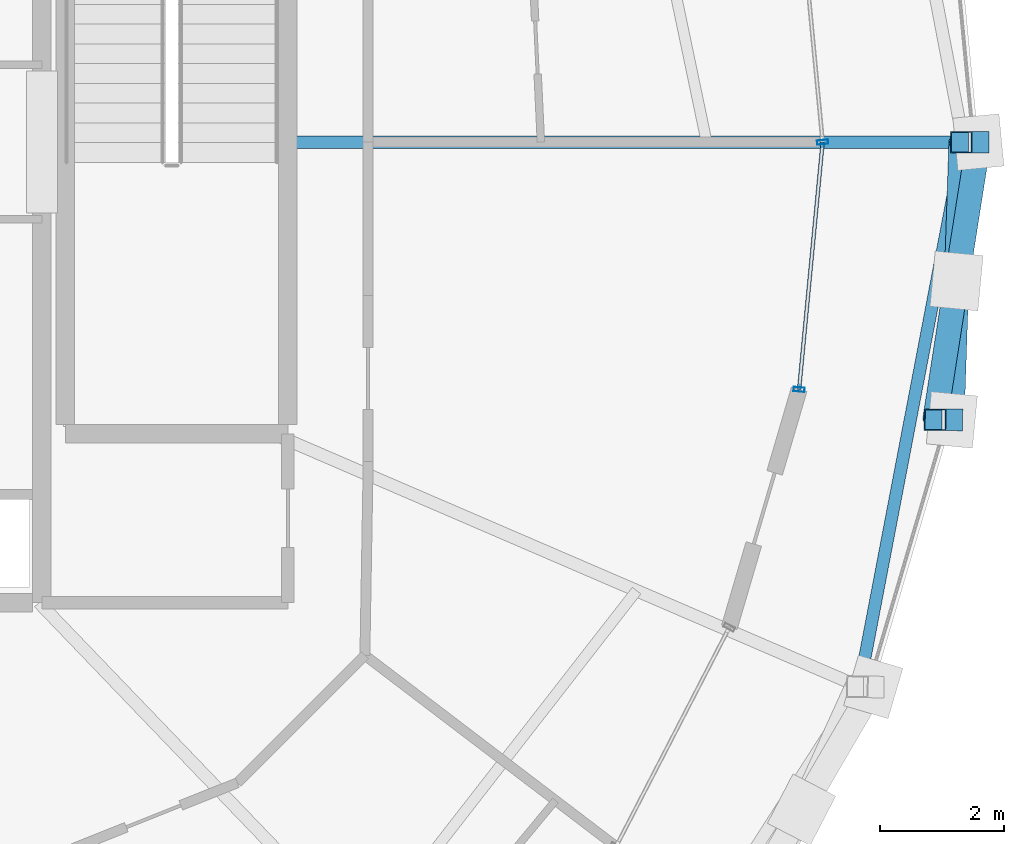
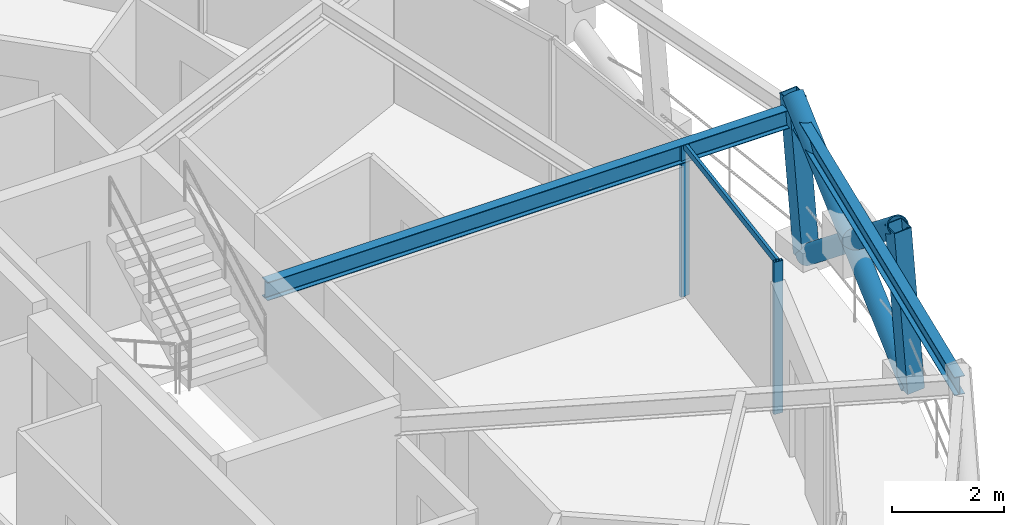
# One storey, part 5 of 15: 8 members, 2 beams, 1 element without a shape of its own.
"""IFC4 building model written with IfcOpenShell, lengths in metres."""

from ifc_helpers import new_model, si_unit, direction, frame, origin, origin_2d, place, context, subcontext, project, spatial, hollow_rectangle, hollow_circle, i_section, extrude, material, layer, layer_set, material_profile, profile_set, type_object, element, aggregate, save


model = new_model("IFC4")

# Units and contexts
model_context = context("Model", 3, precision=1e-05, world=origin(), true_north=direction((0.0, 1.0)))
body_context = subcontext(model_context, "Body", "Model", "MODEL_VIEW")
ifc_project = project(units=[si_unit("LENGTHUNIT", "METRE"), si_unit("AREAUNIT", "SQUARE_METRE"), si_unit("VOLUMEUNIT", "CUBIC_METRE"), si_unit("PLANEANGLEUNIT", "RADIAN"), si_unit("MASSUNIT", "GRAM", prefix="KILO")], contexts=[model_context])

# Site, building, storey
site_placement = place(None, origin())
site = spatial("IfcSite", under=ifc_project, at=site_placement, CompositionType="ELEMENT")
building_placement = place(site_placement, origin())
building = spatial("IfcBuilding", under=site, at=building_placement, Name="Veldorina Hangang Commons", CompositionType="ELEMENT")
storey_placement = place(building_placement, frame((0.0, 0.0, 258.0)))
storey = spatial("IfcBuildingStorey", under=building, at=storey_placement, Name="L67", CompositionType="ELEMENT", Elevation=258.0)

# Beams
ifc_material_1 = material(Name="Steel SM355-TMC", Category="steel")
ifc_material_profile_1 = material_profile(ifc_material_1, i_section(OverallWidth=0.199951171875, OverallDepth=0.39990234375, WebThickness=0.008056640625, FlangeThickness=0.012939453125, FilletRadius=0.012939453125, at=origin_2d()), Name="H-400x200x8x13")
ifc_profile_set_1 = profile_set([ifc_material_profile_1], Name="Steel SM355-TMC")
beam_type_1 = type_object("IfcBeamType", Name="BM-FG400", PredefinedType="BEAM", material=ifc_profile_set_1)
beam_1_placement = place(storey_placement, frame((43.179931640625, 24.0, 3.159912109375), z_axis=(1.0, 0.0, 0.0), x_axis=(0.0, 1.0, 0.0)))
element("IfcBeam", 1, at=beam_1_placement, inside=storey, type_object=beam_type_1, Name="L67 radial floor girder 01", PredefinedType="BEAM", context=body_context, shape_type="SweptSolid", body=[
    extrude(i_section(OverallWidth=0.199951171875, OverallDepth=0.39990234375, WebThickness=0.008056640625, FlangeThickness=0.012939453125, FilletRadius=0.012939453125, at=origin_2d()), origin(), (0.0, 0.0, 1.0), 10.928955078125),
])
ifc_material_profile_2 = material_profile(ifc_material_1, i_section(OverallWidth=0.199951171875, OverallDepth=0.39990234375, WebThickness=0.008056640625, FlangeThickness=0.012939453125, FilletRadius=0.012939453125, at=origin_2d()), Name="H-400x200x8x13")
ifc_profile_set_2 = profile_set([ifc_material_profile_2], Name="Steel SM355-TMC")
beam_type_2 = type_object("IfcBeamType", Name="BM-RB400", PredefinedType="BEAM", material=ifc_profile_set_2)
beam_2_placement = place(storey_placement, frame((52.426025390625, 15.189697265625, 3.159912109375), z_axis=(0.187618637091, 0.982241949326, 0.0), x_axis=(-0.982241949326, 0.187618637091, 0.0)))
element("IfcBeam", 2, at=beam_2_placement, inside=storey, type_object=beam_type_2, Name="L67 perimeter hoop ring beam 30", PredefinedType="BEAM", context=body_context, shape_type="SweptSolid", body=[
    extrude(i_section(OverallWidth=0.199951171875, OverallDepth=0.39990234375, WebThickness=0.008056640625, FlangeThickness=0.012939453125, FilletRadius=0.012939453125, at=origin_2d()), origin(), (0.0, 0.0, 1.0), 8.969482421875),
])

# Curtain wall, members
ifc_material_2 = material(Name="Glass Low-E Selective", Category="glass")
ifc_layer = layer(ifc_material_2, 0.179931640625)
ifc_layer_set = layer_set([ifc_layer], Name="Glass Low-E Selective")
curtain_wall_type = type_object("IfcCurtainWallType", Name="CW-SYS-Z3", PredefinedType="NOTDEFINED", material=ifc_layer_set)
curtain_wall_placement = place(storey_placement, origin())
curtain_wall = element("IfcCurtainWall", 3, at=curtain_wall_placement, inside=storey, type_object=curtain_wall_type, Name="L67 unitised curtain wall CW-L67-R2", PredefinedType="NOTDEFINED")
ifc_material_3 = material(Name="Aluminium Anodized AA6063-T6", Category="aluminium")
ifc_material_profile_3 = material_profile(ifc_material_3, hollow_rectangle(XDim=0.070068359375, YDim=0.179931640625, WallThickness=0.00390625, at=origin_2d()), Name="ALU-RHS-180x70x4")
ifc_profile_set_3 = profile_set([ifc_material_profile_3], Name="Aluminium Anodized AA6063-T6")
member_type_1 = type_object("IfcMemberType", Name="CW-MUL-180", PredefinedType="MULLION", material=ifc_profile_set_3)
member_1_placement = place(storey_placement, frame((51.45166015625, 19.998046875, 0.0), z_axis=(0.0, 0.0, 1.0), x_axis=(0.094803323696, 0.995496021999, 0.0)))
member_1 = element("IfcMember", 4, at=member_1_placement, type_object=member_type_1, Name="CW-L67-R2 vertical mullion 1", PredefinedType="MULLION", context=body_context, shape_type="SweptSolid", body=[
    extrude(hollow_rectangle(XDim=0.070068359375, YDim=0.179931640625, WallThickness=0.00390625, at=origin_2d()), origin(), (0.0, 0.0, 1.0), 3.320068359375),
])
member_2_placement = place(storey_placement, frame((51.832763671875, 24.0, 0.0), z_axis=(0.0, 0.0, 1.0), x_axis=(-0.094803323696, 0.995496021999, 0.0)))
member_2 = element("IfcMember", 5, at=member_2_placement, type_object=member_type_1, Name="CW-L67-R2 vertical mullion 2", PredefinedType="MULLION", context=body_context, shape_type="SweptSolid", body=[
    extrude(hollow_rectangle(XDim=0.070068359375, YDim=0.179931640625, WallThickness=0.00390625, at=origin_2d()), origin(), (0.0, 0.0, 1.0), 3.320068359375),
])
ifc_material_profile_4 = material_profile(ifc_material_3, hollow_rectangle(XDim=0.06005859375, YDim=0.139892578125, WallThickness=0.00341796875, at=origin_2d()), Name="ALU-RHS-140x60x3.5")
ifc_profile_set_4 = profile_set([ifc_material_profile_4], Name="Aluminium Anodized AA6063-T6")
member_type_2 = type_object("IfcMemberType", Name="CW-TRN-140", PredefinedType="USERDEFINED", material=ifc_profile_set_4)
member_3_placement = place(storey_placement, frame((51.45166015625, 19.998046875, 3.280029296875), z_axis=(0.094800494807, 0.995496291397, 0.0), x_axis=(-0.995496291397, 0.094800494807, 0.0)))
member_3 = element("IfcMember", 6, at=member_3_placement, type_object=member_type_2, Name="CW-L67-R2 facet 1 transom 1", ObjectType="TRANSOM", PredefinedType="USERDEFINED", context=body_context, shape_type="SweptSolid", body=[
    extrude(hollow_rectangle(XDim=0.06005859375, YDim=0.139892578125, WallThickness=0.00341796875, at=origin_2d()), origin(), (0.0, 0.0, 1.0), 4.02001953125),
])
aggregate(curtain_wall, [member_1, member_2, member_3])

# Members
ifc_material_profile_5 = material_profile(ifc_material_1, hollow_circle(Radius=0.199951171875, WallThickness=0.02001953125, at=origin_2d()), Name="CHS-400x20")
ifc_profile_set_5 = profile_set([ifc_material_profile_5], Name="Steel SM355-TMC")
member_type_3 = type_object("IfcMemberType", Name="DG-CHS400", PredefinedType="BRACE", material=ifc_profile_set_5)
member_4_placement = place(storey_placement, frame((53.92333984375, 19.50634765625, 0.0), z_axis=(0.026364164338, 0.780158856587, 0.625025670935), x_axis=(-0.99942949407, 0.033774048968, 0.0)))
element("IfcMember", 7, at=member_4_placement, inside=storey, type_object=member_type_3, Name="L67 continuous perimeter diagrid brace 31", PredefinedType="BRACE", context=body_context, shape_type="SweptSolid", body=[
    extrude(hollow_circle(Radius=0.199951171875, WallThickness=0.02001953125, at=origin_2d()), origin(), (0.0, 0.0, 1.0), 5.760009765625),
])
member_5_placement = place(storey_placement, frame((54.352783203125, 24.0, 0.0), z_axis=(-0.121888575305, -0.774430174587, 0.620806797563), x_axis=(0.987839458851, -0.155477340915, 0.0)))
element("IfcMember", 8, at=member_5_placement, inside=storey, type_object=member_type_3, Name="L67 split perimeter diagrid lower brace 00", PredefinedType="BRACE", context=body_context, shape_type="SweptSolid", body=[
    extrude(hollow_circle(Radius=0.199951171875, WallThickness=0.02001953125, at=origin_2d()), origin(), (0.0, 0.0, 1.0), 2.900390625),
])
member_6_placement = place(storey_placement, frame((53.999267578125, 21.75390625, 1.800537109375), z_axis=(-0.120203050486, -0.774623162068, 0.620894663724), x_axis=(0.988173341894, -0.153340948117, 0.0)))
element("IfcMember", 9, at=member_6_placement, inside=storey, type_object=member_type_3, Name="L67 split perimeter diagrid upper brace 00", PredefinedType="BRACE", context=body_context, shape_type="SweptSolid", body=[
    extrude(hollow_circle(Radius=0.199951171875, WallThickness=0.02001953125, at=origin_2d()), origin(), (0.0, 0.0, 1.0), 2.8984375),
])
ifc_material_profile_6 = material_profile(ifc_material_1, hollow_rectangle(XDim=0.35009765625, YDim=0.35009765625, WallThickness=0.01611328125, at=origin_2d()), Name="SHS-350x350x16")
ifc_profile_set_6 = profile_set([ifc_material_profile_6], Name="Steel SM355-TMC")
member_type_4 = type_object("IfcMemberType", Name="STR-SHS350", PredefinedType="STRUT", material=ifc_profile_set_6)
member_7_placement = place(storey_placement, frame((54.352783203125, 24.0, 0.0), z_axis=(-0.076877465321, 0.0, 0.997040548486), x_axis=(0.0, -1.0, 0.0)))
element("IfcMember", 10, at=member_7_placement, inside=storey, type_object=member_type_4, Name="L67 perimeter ring node post 00", PredefinedType="STRUT", context=body_context, shape_type="SweptSolid", body=[
    extrude(hollow_rectangle(XDim=0.35009765625, YDim=0.35009765625, WallThickness=0.01611328125, at=origin_2d()), origin(), (0.0, 0.0, 1.0), 3.61083984375),
])
member_8_placement = place(storey_placement, frame((53.92333984375, 19.50634765625, 0.0), z_axis=(-0.075465709734, 0.000676216037, 0.997148168221), x_axis=(-0.008960213768, -0.999959856479, 0.0)))
element("IfcMember", 11, at=member_8_placement, inside=storey, type_object=member_type_4, Name="L67 perimeter ring node post 31", PredefinedType="STRUT", context=body_context, shape_type="SweptSolid", body=[
    extrude(hollow_rectangle(XDim=0.35009765625, YDim=0.35009765625, WallThickness=0.01611328125, at=origin_2d()), origin(), (0.0, 0.0, 1.0), 3.6103515625),
])

save(model, "model.ifc")
